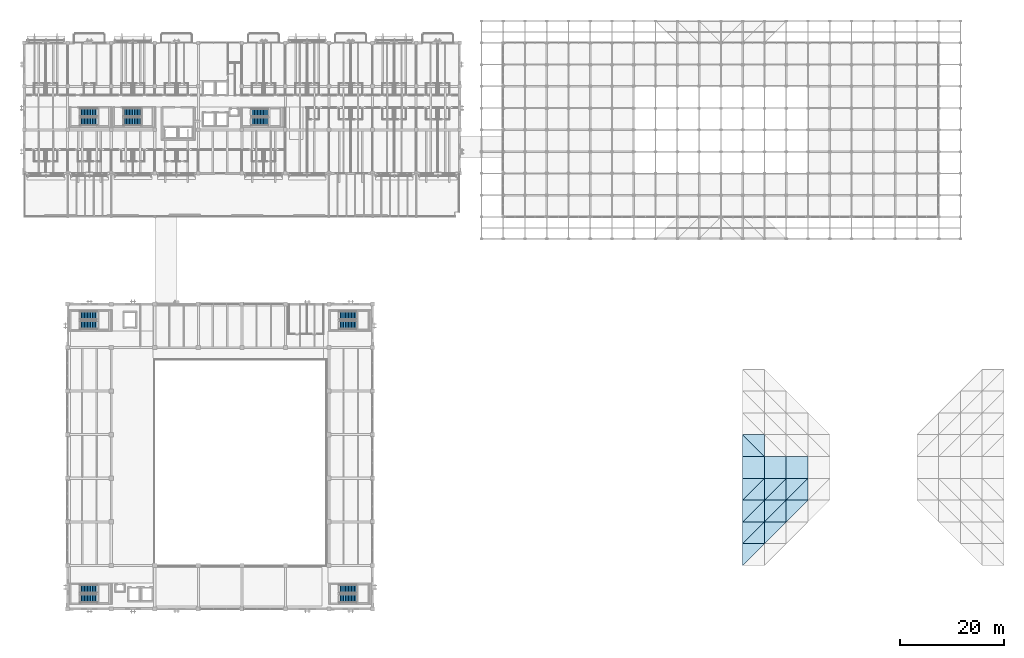
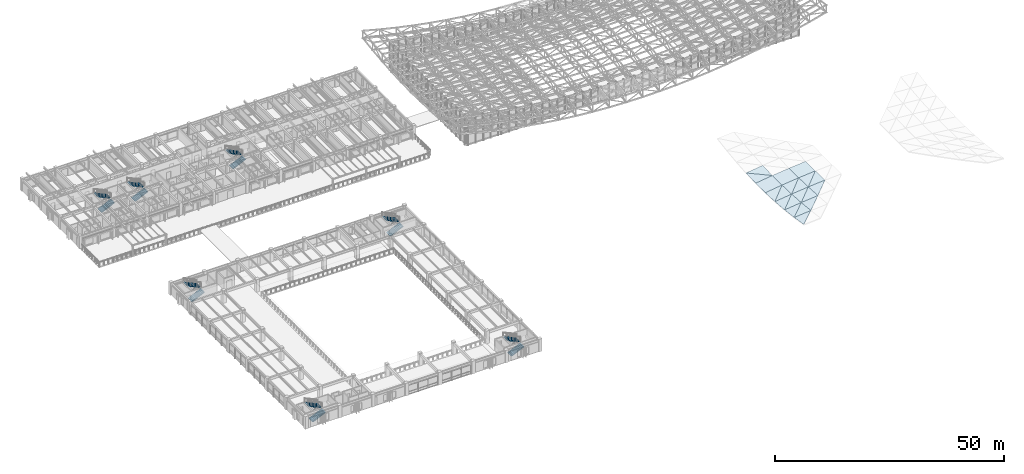
# One storey, part 95 of 111: 20 roofs, 14 stair flights, 7 elements without a shape of their own.
"""IFC4 building model written with IfcOpenShell, lengths in metres."""

from ifc_helpers import new_model, si_unit, direction, frame, origin, place, context, subcontext, project, spatial, polyline, outline, extrude, material, layer, layer_set, type_object, element, aggregate, save


model = new_model("IFC4")

# Units and contexts
model_context = context("Model", 3, precision=1e-05, world=origin(), true_north=direction((0.0, 1.0)))
body_context = subcontext(model_context, "Body", "Model", "MODEL_VIEW")
ifc_project = project(units=[si_unit("LENGTHUNIT", "METRE"), si_unit("AREAUNIT", "SQUARE_METRE"), si_unit("VOLUMEUNIT", "CUBIC_METRE"), si_unit("PLANEANGLEUNIT", "RADIAN"), si_unit("MASSUNIT", "GRAM", prefix="KILO")], contexts=[model_context])

# Site, building, storey
site_placement = place(None, origin())
site = spatial("IfcSite", under=ifc_project, at=site_placement, CompositionType="ELEMENT")
building_placement = place(site_placement, origin())
building = spatial("IfcBuilding", under=site, at=building_placement, Name="Cumbredor Promenade Congress Hotel", CompositionType="ELEMENT")
storey_placement = place(building_placement, frame((0.0, 0.0, 15.1201171875)))
storey = spatial("IfcBuildingStorey", under=building, at=storey_placement, Name="L04", CompositionType="ELEMENT", Elevation=15.1201171875)

# Stair, stair flights
ifc_material_1 = material(Name="Concrete C40/50", Category="concrete")
stair_type_1 = type_object("IfcStairType", Name="Protected Dog-Leg Exit Stair ST-T1 1550mm", PredefinedType="HALF_TURN_STAIR", material=ifc_material_1)
stair_1_placement = place(storey_placement, origin())
stair_1 = element("IfcStair", 1, at=stair_1_placement, inside=storey, type_object=stair_type_1, Name="L04 Protected Exit Stair ST-03", PredefinedType="HALF_TURN_STAIR")
stair_flight_type_1 = type_object("IfcStairFlightType", Name="Concrete Stair Flight SFL-T1 1550mm", PredefinedType="STRAIGHT", material=ifc_material_1)
stair_flight_1_placement = place(storey_placement, frame((43.800048828125, 102.39501953125, 0.0), z_axis=(0.0, 0.0, 1.0), x_axis=(1.0, 0.0, 0.0)))
stair_flight_1 = element("IfcStairFlight", 2, at=stair_flight_1_placement, type_object=stair_flight_type_1, Name="ST-03 flight 1", NumberOfRisers=12, NumberOfTreads=11, PredefinedType="STRAIGHT", RiserHeight=0.14, TreadLength=0.3, context=body_context, shape_type="SweptSolid", body=[
    extrude(outline(polyline([(0.0, 0.0), (0.0, 0.139892578125), (0.300048828125, 0.139892578125), (0.300048828125, 0.280029296875), (0.60009765625, 0.280029296875), (0.60009765625, 0.419921875), (0.89990234375, 0.419921875), (0.89990234375, 0.56005859375), (1.199951171875, 0.56005859375), (1.199951171875, 0.699951171875), (1.5, 0.699951171875), (1.5, 0.840087890625), (1.800048828125, 0.840087890625), (1.800048828125, 0.97998046875), (2.10009765625, 0.97998046875), (2.10009765625, 1.1201171875), (2.39990234375, 1.1201171875), (2.39990234375, 1.260009765625), (2.699951171875, 1.260009765625), (2.699951171875, 1.39990234375), (3.0, 1.39990234375), (3.0, 1.5400390625), (3.300048828125, 1.5400390625), (3.300048828125, 1.679931640625), (3.300048828125, 1.341552734375), (0.425537109375, 0.0), (0.0, 0.0)])), frame((0.0, 0.77490234375, 0.0), z_axis=(0.0, -1.0, 0.0), x_axis=(1.0, 0.0, 0.0)), (0.0, 0.0, 1.0), 1.550048828125),
])
stair_flight_2_placement = place(storey_placement, frame((47.10009765625, 104.094970703125, 1.679931640625), z_axis=(0.0, 0.0, 1.0), x_axis=(-1.0, 0.0, 0.0)))
stair_flight_2 = element("IfcStairFlight", 3, at=stair_flight_2_placement, type_object=stair_flight_type_1, Name="ST-03 flight 2", NumberOfRisers=12, NumberOfTreads=11, PredefinedType="STRAIGHT", RiserHeight=0.14, TreadLength=0.3, context=body_context, shape_type="SweptSolid", body=[
    extrude(outline(polyline([(0.0, 0.0), (0.0, 0.139892578125), (0.300048828125, 0.139892578125), (0.300048828125, 0.280029296875), (0.60009765625, 0.280029296875), (0.60009765625, 0.419921875), (0.89990234375, 0.419921875), (0.89990234375, 0.56005859375), (1.199951171875, 0.56005859375), (1.199951171875, 0.699951171875), (1.5, 0.699951171875), (1.5, 0.840087890625), (1.800048828125, 0.840087890625), (1.800048828125, 0.97998046875), (2.10009765625, 0.97998046875), (2.10009765625, 1.1201171875), (2.39990234375, 1.1201171875), (2.39990234375, 1.260009765625), (2.699951171875, 1.260009765625), (2.699951171875, 1.39990234375), (3.0, 1.39990234375), (3.0, 1.5400390625), (3.300048828125, 1.5400390625), (3.300048828125, 1.679931640625), (3.300048828125, 1.341552734375), (0.425537109375, 0.0), (0.0, 0.0)])), frame((0.0, 0.77490234375, 0.0), z_axis=(0.0, -1.0, 0.0), x_axis=(1.0, 0.0, 0.0)), (0.0, 0.0, 1.0), 1.550048828125),
])
aggregate(stair_1, [stair_flight_1, stair_flight_2])

stair_type_2 = type_object("IfcStairType", Name="Protected Dog-Leg Exit Stair ST-T2 1600mm", PredefinedType="HALF_TURN_STAIR", material=ifc_material_1)
stair_2_placement = place(storey_placement, origin())
stair_2 = element("IfcStair", 4, at=stair_2_placement, inside=storey, type_object=stair_type_2, Name="L04 Protected Exit Stair ST-01", PredefinedType="HALF_TURN_STAIR")
stair_flight_type_2 = type_object("IfcStairFlightType", Name="Concrete Stair Flight SFL-T2 1600mm", PredefinedType="STRAIGHT", material=ifc_material_1)
stair_flight_3_placement = place(storey_placement, frame((10.75, 102.419921875, 0.0), z_axis=(0.0, 0.0, 1.0), x_axis=(1.0, 0.0, 0.0)))
stair_flight_3 = element("IfcStairFlight", 5, at=stair_flight_3_placement, type_object=stair_flight_type_2, Name="ST-01 flight 1", NumberOfRisers=12, NumberOfTreads=11, PredefinedType="STRAIGHT", RiserHeight=0.14, TreadLength=0.3, context=body_context, shape_type="SweptSolid", body=[
    extrude(outline(polyline([(0.0, 0.0), (0.0, 0.139892578125), (0.300048828125, 0.139892578125), (0.300048828125, 0.280029296875), (0.60009765625, 0.280029296875), (0.60009765625, 0.419921875), (0.89990234375, 0.419921875), (0.89990234375, 0.56005859375), (1.199951171875, 0.56005859375), (1.199951171875, 0.699951171875), (1.5, 0.699951171875), (1.5, 0.840087890625), (1.800048828125, 0.840087890625), (1.800048828125, 0.97998046875), (2.10009765625, 0.97998046875), (2.10009765625, 1.1201171875), (2.39990234375, 1.1201171875), (2.39990234375, 1.260009765625), (2.699951171875, 1.260009765625), (2.699951171875, 1.39990234375), (3.0, 1.39990234375), (3.0, 1.5400390625), (3.300048828125, 1.5400390625), (3.300048828125, 1.679931640625), (3.300048828125, 1.341552734375), (0.425537109375, 0.0), (0.0, 0.0)])), frame((0.0, 0.800048828125, 0.0), z_axis=(0.0, -1.0, 0.0), x_axis=(1.0, 0.0, 0.0)), (0.0, 0.0, 1.0), 1.60009765625),
])
stair_flight_4_placement = place(storey_placement, frame((14.050048828125, 104.169921875, 1.679931640625), z_axis=(0.0, 0.0, 1.0), x_axis=(-1.0, 0.0, 0.0)))
stair_flight_4 = element("IfcStairFlight", 6, at=stair_flight_4_placement, type_object=stair_flight_type_2, Name="ST-01 flight 2", NumberOfRisers=12, NumberOfTreads=11, PredefinedType="STRAIGHT", RiserHeight=0.14, TreadLength=0.3, context=body_context, shape_type="SweptSolid", body=[
    extrude(outline(polyline([(0.0, 0.0), (0.0, 0.139892578125), (0.300048828125, 0.139892578125), (0.300048828125, 0.280029296875), (0.60009765625, 0.280029296875), (0.60009765625, 0.419921875), (0.89990234375, 0.419921875), (0.89990234375, 0.56005859375), (1.199951171875, 0.56005859375), (1.199951171875, 0.699951171875), (1.5, 0.699951171875), (1.5, 0.840087890625), (1.800048828125, 0.840087890625), (1.800048828125, 0.97998046875), (2.10009765625, 0.97998046875), (2.10009765625, 1.1201171875), (2.39990234375, 1.1201171875), (2.39990234375, 1.260009765625), (2.699951171875, 1.260009765625), (2.699951171875, 1.39990234375), (3.0, 1.39990234375), (3.0, 1.5400390625), (3.300048828125, 1.5400390625), (3.300048828125, 1.679931640625), (3.300048828125, 1.341552734375), (0.425537109375, 0.0), (0.0, 0.0)])), frame((0.0, 0.800048828125, 0.0), z_axis=(0.0, -1.0, 0.0), x_axis=(1.0, 0.0, 0.0)), (0.0, 0.0, 1.0), 1.60009765625),
])
aggregate(stair_2, [stair_flight_3, stair_flight_4])

stair_3_placement = place(storey_placement, origin())
stair_3 = element("IfcStair", 7, at=stair_3_placement, inside=storey, type_object=stair_type_2, Name="L04 Protected Exit Stair ST-02", PredefinedType="HALF_TURN_STAIR")
stair_flight_5_placement = place(storey_placement, frame((19.14990234375, 102.419921875, 0.0), z_axis=(0.0, 0.0, 1.0), x_axis=(1.0, 0.0, 0.0)))
stair_flight_5 = element("IfcStairFlight", 8, at=stair_flight_5_placement, type_object=stair_flight_type_2, Name="ST-02 flight 1", NumberOfRisers=12, NumberOfTreads=11, PredefinedType="STRAIGHT", RiserHeight=0.14, TreadLength=0.3, context=body_context, shape_type="SweptSolid", body=[
    extrude(outline(polyline([(0.0, 0.0), (0.0, 0.139892578125), (0.300048828125, 0.139892578125), (0.300048828125, 0.280029296875), (0.60009765625, 0.280029296875), (0.60009765625, 0.419921875), (0.89990234375, 0.419921875), (0.89990234375, 0.56005859375), (1.199951171875, 0.56005859375), (1.199951171875, 0.699951171875), (1.5, 0.699951171875), (1.5, 0.840087890625), (1.800048828125, 0.840087890625), (1.800048828125, 0.97998046875), (2.10009765625, 0.97998046875), (2.10009765625, 1.1201171875), (2.39990234375, 1.1201171875), (2.39990234375, 1.260009765625), (2.699951171875, 1.260009765625), (2.699951171875, 1.39990234375), (3.0, 1.39990234375), (3.0, 1.5400390625), (3.300048828125, 1.5400390625), (3.300048828125, 1.679931640625), (3.300048828125, 1.341552734375), (0.425537109375, 0.0), (0.0, 0.0)])), frame((0.0, 0.800048828125, 0.0), z_axis=(0.0, -1.0, 0.0), x_axis=(1.0, 0.0, 0.0)), (0.0, 0.0, 1.0), 1.60009765625),
])
stair_flight_6_placement = place(storey_placement, frame((22.449951171875, 104.169921875, 1.679931640625), z_axis=(0.0, 0.0, 1.0), x_axis=(-1.0, 0.0, 0.0)))
stair_flight_6 = element("IfcStairFlight", 9, at=stair_flight_6_placement, type_object=stair_flight_type_2, Name="ST-02 flight 2", NumberOfRisers=12, NumberOfTreads=11, PredefinedType="STRAIGHT", RiserHeight=0.14, TreadLength=0.3, context=body_context, shape_type="SweptSolid", body=[
    extrude(outline(polyline([(0.0, 0.0), (0.0, 0.139892578125), (0.300048828125, 0.139892578125), (0.300048828125, 0.280029296875), (0.60009765625, 0.280029296875), (0.60009765625, 0.419921875), (0.89990234375, 0.419921875), (0.89990234375, 0.56005859375), (1.199951171875, 0.56005859375), (1.199951171875, 0.699951171875), (1.5, 0.699951171875), (1.5, 0.840087890625), (1.800048828125, 0.840087890625), (1.800048828125, 0.97998046875), (2.10009765625, 0.97998046875), (2.10009765625, 1.1201171875), (2.39990234375, 1.1201171875), (2.39990234375, 1.260009765625), (2.699951171875, 1.260009765625), (2.699951171875, 1.39990234375), (3.0, 1.39990234375), (3.0, 1.5400390625), (3.300048828125, 1.5400390625), (3.300048828125, 1.679931640625), (3.300048828125, 1.341552734375), (0.425537109375, 0.0), (0.0, 0.0)])), frame((0.0, 0.800048828125, 0.0), z_axis=(0.0, -1.0, 0.0), x_axis=(1.0, 0.0, 0.0)), (0.0, 0.0, 1.0), 1.60009765625),
])
aggregate(stair_3, [stair_flight_5, stair_flight_6])

stair_type_3 = type_object("IfcStairType", Name="Protected Dog-Leg Exit Stair ST-T3 1650mm", PredefinedType="HALF_TURN_STAIR", material=ifc_material_1)
stair_4_placement = place(storey_placement, origin())
stair_4 = element("IfcStair", 10, at=stair_4_placement, inside=storey, type_object=stair_type_3, Name="L04 Protected Exit Stair ST-04", PredefinedType="HALF_TURN_STAIR")
stair_flight_type_3 = type_object("IfcStairFlightType", Name="Concrete Stair Flight SFL-T3 1650mm", PredefinedType="STRAIGHT", material=ifc_material_1)
stair_flight_7_placement = place(storey_placement, frame((10.75, 10.425048828125, 0.0), z_axis=(0.0, 0.0, 1.0), x_axis=(1.0, 0.0, 0.0)))
stair_flight_7 = element("IfcStairFlight", 11, at=stair_flight_7_placement, type_object=stair_flight_type_3, Name="ST-04 flight 1", NumberOfRisers=12, NumberOfTreads=11, PredefinedType="STRAIGHT", RiserHeight=0.14, TreadLength=0.3, context=body_context, shape_type="SweptSolid", body=[
    extrude(outline(polyline([(0.0, 0.0), (0.0, 0.139892578125), (0.300048828125, 0.139892578125), (0.300048828125, 0.280029296875), (0.60009765625, 0.280029296875), (0.60009765625, 0.419921875), (0.89990234375, 0.419921875), (0.89990234375, 0.56005859375), (1.199951171875, 0.56005859375), (1.199951171875, 0.699951171875), (1.5, 0.699951171875), (1.5, 0.840087890625), (1.800048828125, 0.840087890625), (1.800048828125, 0.97998046875), (2.10009765625, 0.97998046875), (2.10009765625, 1.1201171875), (2.39990234375, 1.1201171875), (2.39990234375, 1.260009765625), (2.699951171875, 1.260009765625), (2.699951171875, 1.39990234375), (3.0, 1.39990234375), (3.0, 1.5400390625), (3.300048828125, 1.5400390625), (3.300048828125, 1.679931640625), (3.300048828125, 1.341552734375), (0.425537109375, 0.0), (0.0, 0.0)])), frame((0.0, 0.824951171875, 0.0), z_axis=(0.0, -1.0, 0.0), x_axis=(1.0, 0.0, 0.0)), (0.0, 0.0, 1.0), 1.64990234375),
])
stair_flight_8_placement = place(storey_placement, frame((14.050048828125, 12.22509765625, 1.679931640625), z_axis=(0.0, 0.0, 1.0), x_axis=(-1.0, 0.0, 0.0)))
stair_flight_8 = element("IfcStairFlight", 12, at=stair_flight_8_placement, type_object=stair_flight_type_3, Name="ST-04 flight 2", NumberOfRisers=12, NumberOfTreads=11, PredefinedType="STRAIGHT", RiserHeight=0.14, TreadLength=0.3, context=body_context, shape_type="SweptSolid", body=[
    extrude(outline(polyline([(0.0, 0.0), (0.0, 0.139892578125), (0.300048828125, 0.139892578125), (0.300048828125, 0.280029296875), (0.60009765625, 0.280029296875), (0.60009765625, 0.419921875), (0.89990234375, 0.419921875), (0.89990234375, 0.56005859375), (1.199951171875, 0.56005859375), (1.199951171875, 0.699951171875), (1.5, 0.699951171875), (1.5, 0.840087890625), (1.800048828125, 0.840087890625), (1.800048828125, 0.97998046875), (2.10009765625, 0.97998046875), (2.10009765625, 1.1201171875), (2.39990234375, 1.1201171875), (2.39990234375, 1.260009765625), (2.699951171875, 1.260009765625), (2.699951171875, 1.39990234375), (3.0, 1.39990234375), (3.0, 1.5400390625), (3.300048828125, 1.5400390625), (3.300048828125, 1.679931640625), (3.300048828125, 1.341552734375), (0.425537109375, 0.0), (0.0, 0.0)])), frame((0.0, 0.824951171875, 0.0), z_axis=(0.0, -1.0, 0.0), x_axis=(1.0, 0.0, 0.0)), (0.0, 0.0, 1.0), 1.64990234375),
])
aggregate(stair_4, [stair_flight_7, stair_flight_8])

stair_5_placement = place(storey_placement, origin())
stair_5 = element("IfcStair", 13, at=stair_5_placement, inside=storey, type_object=stair_type_3, Name="L04 Protected Exit Stair ST-05", PredefinedType="HALF_TURN_STAIR")
stair_flight_9_placement = place(storey_placement, frame((60.75, 10.425048828125, 0.0), z_axis=(0.0, 0.0, 1.0), x_axis=(1.0, 0.0, 0.0)))
stair_flight_9 = element("IfcStairFlight", 14, at=stair_flight_9_placement, type_object=stair_flight_type_3, Name="ST-05 flight 1", NumberOfRisers=12, NumberOfTreads=11, PredefinedType="STRAIGHT", RiserHeight=0.14, TreadLength=0.3, context=body_context, shape_type="SweptSolid", body=[
    extrude(outline(polyline([(0.0, 0.0), (0.0, 0.139892578125), (0.300048828125, 0.139892578125), (0.300048828125, 0.280029296875), (0.60009765625, 0.280029296875), (0.60009765625, 0.419921875), (0.89990234375, 0.419921875), (0.89990234375, 0.56005859375), (1.199951171875, 0.56005859375), (1.199951171875, 0.699951171875), (1.5, 0.699951171875), (1.5, 0.840087890625), (1.800048828125, 0.840087890625), (1.800048828125, 0.97998046875), (2.10009765625, 0.97998046875), (2.10009765625, 1.1201171875), (2.39990234375, 1.1201171875), (2.39990234375, 1.260009765625), (2.699951171875, 1.260009765625), (2.699951171875, 1.39990234375), (3.0, 1.39990234375), (3.0, 1.5400390625), (3.300048828125, 1.5400390625), (3.300048828125, 1.679931640625), (3.300048828125, 1.341552734375), (0.425537109375, 0.0), (0.0, 0.0)])), frame((0.0, 0.824951171875, 0.0), z_axis=(0.0, -1.0, 0.0), x_axis=(1.0, 0.0, 0.0)), (0.0, 0.0, 1.0), 1.64990234375),
])
stair_flight_10_placement = place(storey_placement, frame((64.050048828125, 12.22509765625, 1.679931640625), z_axis=(0.0, 0.0, 1.0), x_axis=(-1.0, 0.0, 0.0)))
stair_flight_10 = element("IfcStairFlight", 15, at=stair_flight_10_placement, type_object=stair_flight_type_3, Name="ST-05 flight 2", NumberOfRisers=12, NumberOfTreads=11, PredefinedType="STRAIGHT", RiserHeight=0.14, TreadLength=0.3, context=body_context, shape_type="SweptSolid", body=[
    extrude(outline(polyline([(0.0, 0.0), (0.0, 0.139892578125), (0.300048828125, 0.139892578125), (0.300048828125, 0.280029296875), (0.60009765625, 0.280029296875), (0.60009765625, 0.419921875), (0.89990234375, 0.419921875), (0.89990234375, 0.56005859375), (1.199951171875, 0.56005859375), (1.199951171875, 0.699951171875), (1.5, 0.699951171875), (1.5, 0.840087890625), (1.800048828125, 0.840087890625), (1.800048828125, 0.97998046875), (2.10009765625, 0.97998046875), (2.10009765625, 1.1201171875), (2.39990234375, 1.1201171875), (2.39990234375, 1.260009765625), (2.699951171875, 1.260009765625), (2.699951171875, 1.39990234375), (3.0, 1.39990234375), (3.0, 1.5400390625), (3.300048828125, 1.5400390625), (3.300048828125, 1.679931640625), (3.300048828125, 1.341552734375), (0.425537109375, 0.0), (0.0, 0.0)])), frame((0.0, 0.824951171875, 0.0), z_axis=(0.0, -1.0, 0.0), x_axis=(1.0, 0.0, 0.0)), (0.0, 0.0, 1.0), 1.64990234375),
])
aggregate(stair_5, [stair_flight_9, stair_flight_10])

stair_6_placement = place(storey_placement, origin())
stair_6 = element("IfcStair", 16, at=stair_6_placement, inside=storey, type_object=stair_type_3, Name="L04 Protected Exit Stair ST-06", PredefinedType="HALF_TURN_STAIR")
stair_flight_11_placement = place(storey_placement, frame((10.75, 63.175048828125, 0.0), z_axis=(0.0, 0.0, 1.0), x_axis=(1.0, 0.0, 0.0)))
stair_flight_11 = element("IfcStairFlight", 17, at=stair_flight_11_placement, type_object=stair_flight_type_3, Name="ST-06 flight 1", NumberOfRisers=12, NumberOfTreads=11, PredefinedType="STRAIGHT", RiserHeight=0.14, TreadLength=0.3, context=body_context, shape_type="SweptSolid", body=[
    extrude(outline(polyline([(0.0, 0.0), (0.0, 0.139892578125), (0.300048828125, 0.139892578125), (0.300048828125, 0.280029296875), (0.60009765625, 0.280029296875), (0.60009765625, 0.419921875), (0.89990234375, 0.419921875), (0.89990234375, 0.56005859375), (1.199951171875, 0.56005859375), (1.199951171875, 0.699951171875), (1.5, 0.699951171875), (1.5, 0.840087890625), (1.800048828125, 0.840087890625), (1.800048828125, 0.97998046875), (2.10009765625, 0.97998046875), (2.10009765625, 1.1201171875), (2.39990234375, 1.1201171875), (2.39990234375, 1.260009765625), (2.699951171875, 1.260009765625), (2.699951171875, 1.39990234375), (3.0, 1.39990234375), (3.0, 1.5400390625), (3.300048828125, 1.5400390625), (3.300048828125, 1.679931640625), (3.300048828125, 1.341552734375), (0.425537109375, 0.0), (0.0, 0.0)])), frame((0.0, 0.824951171875, 0.0), z_axis=(0.0, -1.0, 0.0), x_axis=(1.0, 0.0, 0.0)), (0.0, 0.0, 1.0), 1.64990234375),
])
stair_flight_12_placement = place(storey_placement, frame((14.050048828125, 64.97509765625, 1.679931640625), z_axis=(0.0, 0.0, 1.0), x_axis=(-1.0, 0.0, 0.0)))
stair_flight_12 = element("IfcStairFlight", 18, at=stair_flight_12_placement, type_object=stair_flight_type_3, Name="ST-06 flight 2", NumberOfRisers=12, NumberOfTreads=11, PredefinedType="STRAIGHT", RiserHeight=0.14, TreadLength=0.3, context=body_context, shape_type="SweptSolid", body=[
    extrude(outline(polyline([(0.0, 0.0), (0.0, 0.139892578125), (0.300048828125, 0.139892578125), (0.300048828125, 0.280029296875), (0.60009765625, 0.280029296875), (0.60009765625, 0.419921875), (0.89990234375, 0.419921875), (0.89990234375, 0.56005859375), (1.199951171875, 0.56005859375), (1.199951171875, 0.699951171875), (1.5, 0.699951171875), (1.5, 0.840087890625), (1.800048828125, 0.840087890625), (1.800048828125, 0.97998046875), (2.10009765625, 0.97998046875), (2.10009765625, 1.1201171875), (2.39990234375, 1.1201171875), (2.39990234375, 1.260009765625), (2.699951171875, 1.260009765625), (2.699951171875, 1.39990234375), (3.0, 1.39990234375), (3.0, 1.5400390625), (3.300048828125, 1.5400390625), (3.300048828125, 1.679931640625), (3.300048828125, 1.341552734375), (0.425537109375, 0.0), (0.0, 0.0)])), frame((0.0, 0.824951171875, 0.0), z_axis=(0.0, -1.0, 0.0), x_axis=(1.0, 0.0, 0.0)), (0.0, 0.0, 1.0), 1.64990234375),
])
aggregate(stair_6, [stair_flight_11, stair_flight_12])

stair_7_placement = place(storey_placement, origin())
stair_7 = element("IfcStair", 19, at=stair_7_placement, inside=storey, type_object=stair_type_3, Name="L04 Protected Exit Stair ST-07", PredefinedType="HALF_TURN_STAIR")
stair_flight_13_placement = place(storey_placement, frame((60.75, 63.175048828125, 0.0), z_axis=(0.0, 0.0, 1.0), x_axis=(1.0, 0.0, 0.0)))
stair_flight_13 = element("IfcStairFlight", 20, at=stair_flight_13_placement, type_object=stair_flight_type_3, Name="ST-07 flight 1", NumberOfRisers=12, NumberOfTreads=11, PredefinedType="STRAIGHT", RiserHeight=0.14, TreadLength=0.3, context=body_context, shape_type="SweptSolid", body=[
    extrude(outline(polyline([(0.0, 0.0), (0.0, 0.139892578125), (0.300048828125, 0.139892578125), (0.300048828125, 0.280029296875), (0.60009765625, 0.280029296875), (0.60009765625, 0.419921875), (0.89990234375, 0.419921875), (0.89990234375, 0.56005859375), (1.199951171875, 0.56005859375), (1.199951171875, 0.699951171875), (1.5, 0.699951171875), (1.5, 0.840087890625), (1.800048828125, 0.840087890625), (1.800048828125, 0.97998046875), (2.10009765625, 0.97998046875), (2.10009765625, 1.1201171875), (2.39990234375, 1.1201171875), (2.39990234375, 1.260009765625), (2.699951171875, 1.260009765625), (2.699951171875, 1.39990234375), (3.0, 1.39990234375), (3.0, 1.5400390625), (3.300048828125, 1.5400390625), (3.300048828125, 1.679931640625), (3.300048828125, 1.341552734375), (0.425537109375, 0.0), (0.0, 0.0)])), frame((0.0, 0.824951171875, 0.0), z_axis=(0.0, -1.0, 0.0), x_axis=(1.0, 0.0, 0.0)), (0.0, 0.0, 1.0), 1.64990234375),
])
stair_flight_14_placement = place(storey_placement, frame((64.050048828125, 64.97509765625, 1.679931640625), z_axis=(0.0, 0.0, 1.0), x_axis=(-1.0, 0.0, 0.0)))
stair_flight_14 = element("IfcStairFlight", 21, at=stair_flight_14_placement, type_object=stair_flight_type_3, Name="ST-07 flight 2", NumberOfRisers=12, NumberOfTreads=11, PredefinedType="STRAIGHT", RiserHeight=0.14, TreadLength=0.3, context=body_context, shape_type="SweptSolid", body=[
    extrude(outline(polyline([(0.0, 0.0), (0.0, 0.139892578125), (0.300048828125, 0.139892578125), (0.300048828125, 0.280029296875), (0.60009765625, 0.280029296875), (0.60009765625, 0.419921875), (0.89990234375, 0.419921875), (0.89990234375, 0.56005859375), (1.199951171875, 0.56005859375), (1.199951171875, 0.699951171875), (1.5, 0.699951171875), (1.5, 0.840087890625), (1.800048828125, 0.840087890625), (1.800048828125, 0.97998046875), (2.10009765625, 0.97998046875), (2.10009765625, 1.1201171875), (2.39990234375, 1.1201171875), (2.39990234375, 1.260009765625), (2.699951171875, 1.260009765625), (2.699951171875, 1.39990234375), (3.0, 1.39990234375), (3.0, 1.5400390625), (3.300048828125, 1.5400390625), (3.300048828125, 1.679931640625), (3.300048828125, 1.341552734375), (0.425537109375, 0.0), (0.0, 0.0)])), frame((0.0, 0.824951171875, 0.0), z_axis=(0.0, -1.0, 0.0), x_axis=(1.0, 0.0, 0.0)), (0.0, 0.0, 1.0), 1.64990234375),
])
aggregate(stair_7, [stair_flight_13, stair_flight_14])

# Roofs
ifc_material_2 = material(Name="Standing-seam zinc-aluminium roofing", Category="aluminium")
ifc_layer = layer(ifc_material_2, 0.050048828125, Name="Standing-seam zinc-aluminium roofing", Category="aluminium")
ifc_layer_set = layer_set([ifc_layer], Name="Standing-seam zinc-aluminium roofing")
roof_type = type_object("IfcRoofType", Name="Sweeping Pavilion Standing-Seam Roof Skin 50mm", PredefinedType="FREEFORM", material=ifc_layer_set)
roof_1_placement = place(storey_placement, frame((138.60009765625, 16.800048828125, 3.523681640625), z_axis=(-0.092119504237, 0.165689542007, 0.981866066533), x_axis=(0.706116384246, 0.706116384246, -0.052908447323)))
element("IfcRoof", 22, at=roof_1_placement, inside=storey, type_object=roof_type, Name="Grand Ballroom Pavilion Standing-Seam Roof Skin 1.5.2", PredefinedType="FREEFORM", context=body_context, shape_type="SweptSolid", body=[
    extrude(outline(polyline([(0.0, 0.0), (5.947958814690988, -2.42861286636753e-16), (3.0031526808509734, 3.0204265495876115), (0.0, 0.0)])), origin(), (0.0, 0.0, -1.0), 0.050048828125),
])
roof_2_placement = place(storey_placement, frame((138.60009765625, 21.0, 2.81494140625), z_axis=(-0.092906183944, 0.103785532621, 0.99025098041), x_axis=(0.995627668519, 0.0, 0.093410629366)))
element("IfcRoof", 23, at=roof_2_placement, inside=storey, type_object=roof_type, Name="Grand Ballroom Pavilion Standing-Seam Roof Skin 1.6.1", PredefinedType="FREEFORM", context=body_context, shape_type="SweptSolid", body=[
    extrude(outline(polyline([(0.0, 0.0), (4.218395394857564, 6.938893903907228e-18), (4.177277385885973, 4.222755317461579), (0.0, 0.0)])), origin(), (0.0, 0.0, -1.0), 0.050048828125),
])
roof_3_placement = place(storey_placement, frame((138.60009765625, 21.0, 2.81494140625), z_axis=(-0.113900782424, 0.124729377936, 0.985631368232), x_axis=(0.707085444814, 0.707085444814, -0.007768363022)))
element("IfcRoof", 24, at=roof_3_placement, inside=storey, type_object=roof_type, Name="Grand Ballroom Pavilion Standing-Seam Roof Skin 1.6.2", PredefinedType="FREEFORM", context=body_context, shape_type="SweptSolid", body=[
    extrude(outline(polyline([(0.0, 0.0), (5.939807137423268, -7.806255641895632e-17), (2.9738531819913234, 3.0130172783462394), (0.0, 0.0)])), origin(), (0.0, 0.0, -1.0), 0.050048828125),
])
roof_4_placement = place(storey_placement, frame((138.60009765625, 25.199951171875, 2.283447265625), z_axis=(-0.114522180024, 0.069185683203, 0.991008582971), x_axis=(0.99338894182, 0.0, 0.114797257242)))
element("IfcRoof", 25, at=roof_4_placement, inside=storey, type_object=roof_type, Name="Grand Ballroom Pavilion Standing-Seam Roof Skin 1.7.1", PredefinedType="FREEFORM", context=body_context, shape_type="SweptSolid", body=[
    extrude(outline(polyline([(0.0, 0.0), (4.227902078496542, 0.0), (4.194242042864735, 4.210039269100006), (0.0, 0.0)])), origin(), (0.0, 0.0, -1.0), 0.050048828125),
])
roof_5_placement = place(storey_placement, frame((138.60009765625, 25.199951171875, 2.283447265625), z_axis=(-0.128557595316, 0.083349897589, 0.988193169), x_axis=(0.706737101646, 0.706737101646, 0.032331692088)))
element("IfcRoof", 26, at=roof_5_placement, inside=storey, type_object=roof_type, Name="Grand Ballroom Pavilion Standing-Seam Roof Skin 1.7.2", PredefinedType="FREEFORM", context=body_context, shape_type="SweptSolid", body=[
    extrude(outline(polyline([(0.0, 0.0), (5.942734804910805, 2.42861286636753e-17), (2.9568078794922843, 3.0037258011711523), (0.0, 0.0)])), origin(), (0.0, 0.0, -1.0), 0.050048828125),
])
roof_6_placement = place(storey_placement, frame((138.60009765625, 29.39990234375, 1.92919921875), z_axis=(-0.128929155735, 0.034621053896, 0.99104926993), x_axis=(0.991643748834, 0.0, 0.129006493628)))
element("IfcRoof", 27, at=roof_6_placement, inside=storey, type_object=roof_type, Name="Grand Ballroom Pavilion Standing-Seam Roof Skin 1.8.1", PredefinedType="FREEFORM", context=body_context, shape_type="SweptSolid", body=[
    extrude(outline(polyline([(0.0, 0.0), (4.2353427597492725, 3.469446951953614e-18), (4.21641382843318, 4.2027147911800675), (0.0, 0.0)])), origin(), (0.0, 0.0, -1.0), 0.050048828125),
])
roof_7_placement = place(storey_placement, frame((138.60009765625, 29.39990234375, 1.92919921875), z_axis=(-0.135963216815, 0.041770443432, 0.989832932231), x_axis=(0.705491068516, 0.705532078286, 0.067132993034)))
element("IfcRoof", 28, at=roof_7_placement, inside=storey, type_object=roof_type, Name="Grand Ballroom Pavilion Standing-Seam Roof Skin 1.8.2", PredefinedType="FREEFORM", context=body_context, shape_type="SweptSolid", body=[
    extrude(outline(polyline([(0.0, 0.0), (5.953230819362397, -1.457167719820518e-16), (2.9514734672575313, 2.9936367870821297), (0.0, 0.0)])), origin(), (0.0, 0.0, -1.0), 0.050048828125),
])
roof_8_placement = place(storey_placement, frame((138.60009765625, 33.60009765625, 1.751953125), z_axis=(-0.136081984521, 0.0, 0.990697579228), x_axis=(0.990697579228, 0.0, 0.136081984521)))
element("IfcRoof", 29, at=roof_8_placement, inside=storey, type_object=roof_type, Name="Grand Ballroom Pavilion Standing-Seam Roof Skin 1.9", PredefinedType="FREEFORM", context=body_context, shape_type="SweptSolid", body=[
    extrude(outline(polyline([(0.0, 0.0), (4.239387740451093, 0.0), (4.239387740451093, 4.199951171875001), (0.0, 4.199951171875001), (0.0, 0.0)])), origin(), (0.0, 0.0, -1.0), 0.050048828125),
])
roof_9_placement = place(storey_placement, frame((138.60009765625, 37.800048828125, 1.751953125), z_axis=(-0.135963203024, -0.041772867286, 0.989832831837), x_axis=(0.990697579228, 0.0, 0.136081984521)))
element("IfcRoof", 30, at=roof_9_placement, inside=storey, type_object=roof_type, Name="Grand Ballroom Pavilion Standing-Seam Roof Skin 1.10.1", PredefinedType="FREEFORM", context=body_context, shape_type="SweptSolid", body=[
    extrude(outline(polyline([(0.0, 0.0), (4.239387740451093, 0.0), (0.024120000186112656, 4.203620374091224), (0.0, 0.0)])), origin(), (0.0, 0.0, -1.0), 0.050048828125),
])
roof_10_placement = place(storey_placement, frame((142.800048828125, 37.800048828125, 2.328857421875), z_axis=(-0.128929146751, -0.034623063985, 0.991049200877), x_axis=(0.0, 0.999390304139, 0.034914466825)))
element("IfcRoof", 31, at=roof_10_placement, inside=storey, type_object=roof_type, Name="Grand Ballroom Pavilion Standing-Seam Roof Skin 1.10.2", PredefinedType="FREEFORM", context=body_context, shape_type="SweptSolid", body=[
    extrude(outline(polyline([(0.0, 0.0), (4.20251342691867, 0.0), (4.183436625953352, 4.235299796735234), (0.0, 0.0)])), origin(), (0.0, 0.0, -1.0), 0.050048828125),
])
roof_11_placement = place(storey_placement, frame((142.800048828125, 21.0, 3.208984375), z_axis=(-0.093647962244, 0.10377828883, 0.990181865081), x_axis=(0.70708827892, 0.70708827892, -0.007234060169)))
element("IfcRoof", 32, at=roof_11_placement, inside=storey, type_object=roof_type, Name="Grand Ballroom Pavilion Standing-Seam Roof Skin 2.6.2", PredefinedType="FREEFORM", context=body_context, shape_type="SweptSolid", body=[
    extrude(outline(polyline([(0.0, 0.0), (5.939783329865235, 3.7990444123892075e-16), (2.9729205744028575, 2.9991826253337783), (0.0, 0.0)])), origin(), (0.0, 0.0, -1.0), 0.050048828125),
])
roof_12_placement = place(storey_placement, frame((142.800048828125, 25.199951171875, 2.768798828125), z_axis=(-0.093999717377, 0.057659322645, 0.993901129713), x_axis=(0.995557421336, 0.0, 0.094156363687)))
element("IfcRoof", 33, at=roof_12_placement, inside=storey, type_object=roof_type, Name="Grand Ballroom Pavilion Standing-Seam Roof Skin 2.7.1", PredefinedType="FREEFORM", context=body_context, shape_type="SweptSolid", body=[
    extrude(outline(polyline([(0.0, 0.0), (4.218693047598252, 3.469446951953614e-18), (4.195751628906849, 4.206950201994015), (0.0, 0.0)])), origin(), (0.0, 0.0, -1.0), 0.050048828125),
])
roof_13_placement = place(storey_placement, frame((142.800048828125, 25.199951171875, 2.768798828125), z_axis=(-0.105525995073, 0.069255038296, 0.992002018161), x_axis=(0.706870570107, 0.706870570107, 0.02584558441)))
element("IfcRoof", 34, at=roof_13_placement, inside=storey, type_object=roof_type, Name="Grand Ballroom Pavilion Standing-Seam Roof Skin 2.7.2", PredefinedType="FREEFORM", context=body_context, shape_type="SweptSolid", body=[
    extrude(outline(polyline([(0.0, 0.0), (5.94161272160446, 2.42861286636753e-17), (2.961243620769844, 2.9927579026397635), (0.0, 0.0)])), origin(), (0.0, 0.0, -1.0), 0.050048828125),
])
roof_14_placement = place(storey_placement, frame((142.800048828125, 29.39990234375, 2.4755859375), z_axis=(-0.10573617992, 0.028772435454, 0.993977870586), x_axis=(0.994389560019, 0.0, 0.105779974123)))
element("IfcRoof", 35, at=roof_14_placement, inside=storey, type_object=roof_type, Name="Grand Ballroom Pavilion Standing-Seam Roof Skin 2.8.1", PredefinedType="FREEFORM", context=body_context, shape_type="SweptSolid", body=[
    extrude(outline(polyline([(0.0, 0.0), (4.223647693762169, 0.0), (4.210786749642747, 4.201934964940106), (0.0, 0.0)])), origin(), (0.0, 0.0, -1.0), 0.050048828125),
])
roof_15_placement = place(storey_placement, frame((142.800048828125, 29.39990234375, 2.4755859375), z_axis=(-0.111594208283, 0.034694371845, 0.993148041955), x_axis=(0.706028895545, 0.706069936579, 0.054666656331)))
element("IfcRoof", 36, at=roof_15_placement, inside=storey, type_object=roof_type, Name="Grand Ballroom Pavilion Standing-Seam Roof Skin 2.8.2", PredefinedType="FREEFORM", context=body_context, shape_type="SweptSolid", body=[
    extrude(outline(polyline([(0.0, 0.0), (5.94869586552827, 8.951173136040325e-16), (2.9576104805776997, 2.9859186468524963), (0.0, 0.0)])), origin(), (0.0, 0.0, -1.0), 0.050048828125),
])
roof_16_placement = place(storey_placement, frame((142.800048828125, 33.60009765625, 2.328857421875), z_axis=(-0.11166143192, 0.0, 0.993746307979), x_axis=(0.993746307979, 0.0, 0.11166143192)))
element("IfcRoof", 37, at=roof_16_placement, inside=storey, type_object=roof_type, Name="Grand Ballroom Pavilion Standing-Seam Roof Skin 2.9", PredefinedType="FREEFORM", context=body_context, shape_type="SweptSolid", body=[
    extrude(outline(polyline([(0.0, 0.0), (4.226381661147789, 0.0), (4.226381661147789, 4.199951171875), (0.0, 4.199951171875), (0.0, 0.0)])), origin(), (0.0, 0.0, -1.0), 0.050048828125),
])
roof_17_placement = place(storey_placement, frame((147.0, 25.199951171875, 3.166015625), z_axis=(-0.082356592714, 0.057719016523, 0.994930101448), x_axis=(0.706998404473, 0.706998404473, 0.017507488247)))
element("IfcRoof", 38, at=roof_17_placement, inside=storey, type_object=roof_type, Name="Grand Ballroom Pavilion Standing-Seam Roof Skin 3.7.2", PredefinedType="FREEFORM", context=body_context, shape_type="SweptSolid", body=[
    extrude(outline(polyline([(0.0, 0.0), (5.940538401928198, 2.185751579730777e-16), (2.965093036836515, 2.9844898380883578), (0.0, 0.0)])), origin(), (0.0, 0.0, -1.0), 0.050048828125),
])
roof_18_placement = place(storey_placement, frame((147.0, 29.39990234375, 2.92236328125), z_axis=(-0.082469832585, 0.024264642779, 0.996298124973), x_axis=(0.996591551213, 0.0, 0.082494121312)))
element("IfcRoof", 39, at=roof_18_placement, inside=storey, type_object=roof_type, Name="Grand Ballroom Pavilion Standing-Seam Roof Skin 3.8.1", PredefinedType="FREEFORM", context=body_context, shape_type="SweptSolid", body=[
    extrude(outline(polyline([(0.0, 0.0), (4.214315450259775, 0.0), (4.205876720565036, 4.201432339337328), (0.0, 0.0)])), origin(), (0.0, 0.0, -1.0), 0.050048828125),
])
roof_19_placement = place(storey_placement, frame((147.0, 29.39990234375, 2.92236328125), z_axis=(-0.087000760398, 0.028824923678, 0.995791138475), x_axis=(0.706483731754, 0.706524799226, 0.041272809999)))
element("IfcRoof", 40, at=roof_19_placement, inside=storey, type_object=roof_type, Name="Grand Ballroom Pavilion Standing-Seam Roof Skin 3.8.2", PredefinedType="FREEFORM", context=body_context, shape_type="SweptSolid", body=[
    extrude(outline(polyline([(0.0, 0.0), (5.944866078442846, -8.673617379884035e-17), (2.962524117800892, 2.9799116941476473), (0.0, 0.0)])), origin(), (0.0, 0.0, -1.0), 0.050048828125),
])
roof_20_placement = place(storey_placement, frame((147.0, 33.60009765625, 2.80078125), z_axis=(-0.087036926368, 0.0, 0.996205086038), x_axis=(0.996205086038, 0.0, 0.087036926368)))
element("IfcRoof", 41, at=roof_20_placement, inside=storey, type_object=roof_type, Name="Grand Ballroom Pavilion Standing-Seam Roof Skin 3.9", PredefinedType="FREEFORM", context=body_context, shape_type="SweptSolid", body=[
    extrude(outline(polyline([(0.0, 0.0), (4.215950340685193, 0.0), (4.215950340685193, 4.199951171875), (0.0, 4.199951171875), (0.0, 0.0)])), origin(), (0.0, 0.0, -1.0), 0.050048828125),
])

save(model, "model.ifc")
